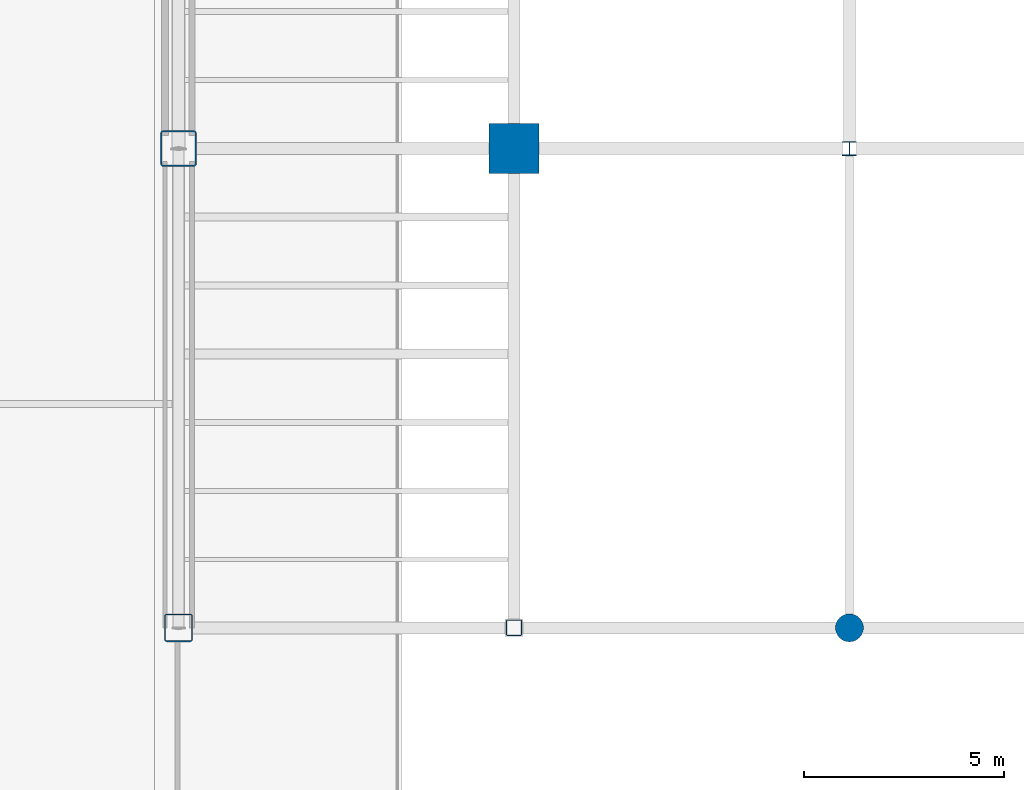
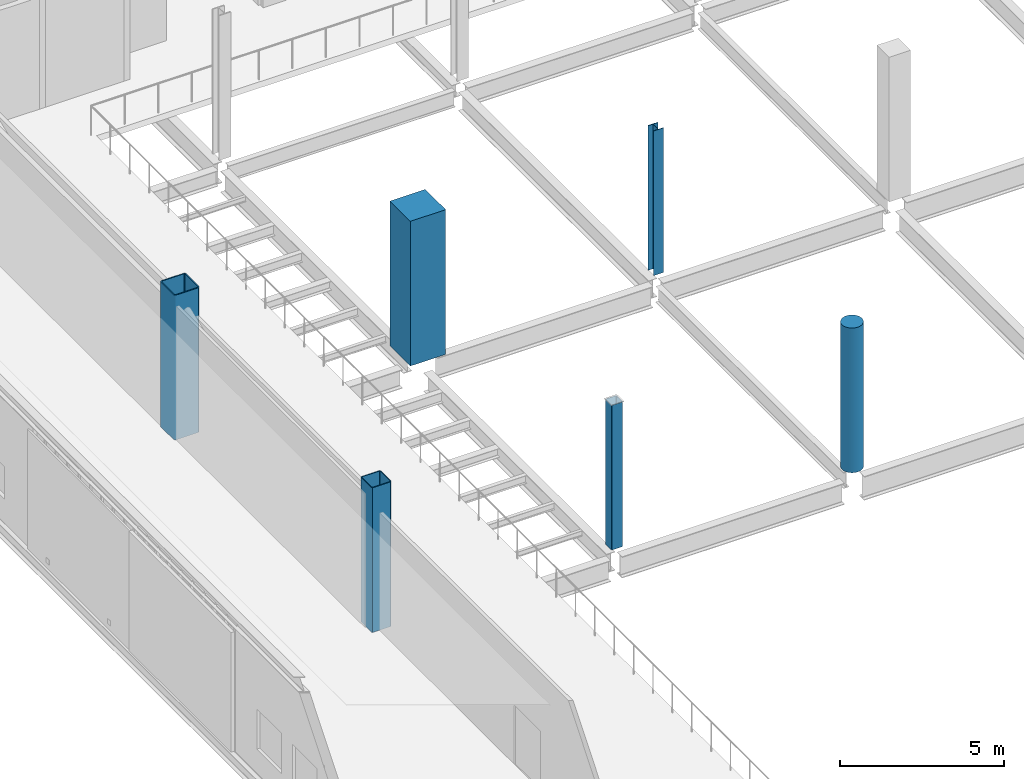
# One storey, part 3 of 127: 6 columns.
"""IFC4 building model written with IfcOpenShell, lengths in metres."""

from ifc_helpers import new_model, si_unit, direction, frame, origin, origin_2d, place, context, subcontext, project, spatial, rectangle, hollow_rectangle, circle, i_section, extrude, material, material_profile, profile_set, type_object, element, save


model = new_model("IFC4")

# Units and contexts
model_context = context("Model", 3, precision=1e-05, world=origin(), true_north=direction((0.0, 1.0)))
body_context = subcontext(model_context, "Body", "Model", "MODEL_VIEW")
ifc_project = project(units=[si_unit("LENGTHUNIT", "METRE"), si_unit("AREAUNIT", "SQUARE_METRE"), si_unit("VOLUMEUNIT", "CUBIC_METRE"), si_unit("PLANEANGLEUNIT", "RADIAN"), si_unit("MASSUNIT", "GRAM", prefix="KILO")], contexts=[model_context])

# Site, building, storey
site_placement = place(None, origin())
site = spatial("IfcSite", under=ifc_project, at=site_placement, CompositionType="ELEMENT")
building_placement = place(site_placement, origin())
building = spatial("IfcBuilding", under=site, at=building_placement, Name="Larkvane Passage Sports Hall", CompositionType="ELEMENT")
storey_placement = place(building_placement, frame((0.0, 0.0, 5.39990234375)))
storey = spatial("IfcBuildingStorey", under=building, at=storey_placement, Name="L01", CompositionType="ELEMENT", Elevation=5.39990234375)

# Columns
ifc_material_1 = material(Name="Concrete C40/50", Category="concrete")
ifc_material_profile_1 = material_profile(ifc_material_1, circle(Radius=0.35009765625, at=origin_2d()), Name="RC-CIR-700")
ifc_profile_set_1 = profile_set([ifc_material_profile_1], Name="Concrete C40/50")
column_type_1 = type_object("IfcColumnType", Name="COL-CIR-700", PredefinedType="COLUMN", material=ifc_profile_set_1)
column_1_placement = place(storey_placement, frame((51.60009765625, 51.60009765625, 0.0), z_axis=(0.0, 0.0, 1.0), x_axis=(1.0, 0.0, 0.0)))
element("IfcColumn", 1, at=column_1_placement, inside=storey, type_object=column_type_1, Name="Column 8/G L01", PredefinedType="COLUMN", context=body_context, shape_type="SweptSolid", body=[
    extrude(circle(Radius=0.35009765625, at=origin_2d()), origin(), (0.0, 0.0, 1.0), 5.400146484375),
])
ifc_material_2 = material(Name="Concrete C50/60", Category="concrete")
ifc_material_profile_2 = material_profile(ifc_material_2, rectangle(XDim=1.25, YDim=1.25, at=origin_2d()), Name="RC-COL-1250x1250")
ifc_profile_set_2 = profile_set([ifc_material_profile_2], Name="Concrete C50/60")
column_type_2 = type_object("IfcColumnType", Name="COL-RC-1250", PredefinedType="COLUMN", material=ifc_profile_set_2)
column_2_placement = place(storey_placement, frame((43.199951171875, 63.60009765625, 0.0), z_axis=(0.0, 0.0, 1.0), x_axis=(1.0, 0.0, 0.0)))
element("IfcColumn", 2, at=column_2_placement, inside=storey, type_object=column_type_2, Name="Column 7/H L01", PredefinedType="COLUMN", context=body_context, shape_type="SweptSolid", body=[
    extrude(rectangle(XDim=1.25, YDim=1.25, at=origin_2d()), origin(), (0.0, 0.0, 1.0), 5.400146484375),
])
ifc_material_3 = material(Name="Steel S460N", Category="steel")
ifc_material_profile_3 = material_profile(ifc_material_3, hollow_rectangle(XDim=0.699951171875, YDim=0.699951171875, WallThickness=0.028076171875, InnerFilletRadius=0.028076171875, OuterFilletRadius=0.055908203125, at=origin_2d()), Name="BOX-700x700x28")
ifc_profile_set_3 = profile_set([ifc_material_profile_3], Name="Steel S460N")
column_type_3 = type_object("IfcColumnType", Name="COL-STL-BOX700", PredefinedType="COLUMN", material=ifc_profile_set_3)
column_3_placement = place(storey_placement, frame((34.800048828125, 51.60009765625, 0.0), z_axis=(0.0, 0.0, 1.0), x_axis=(1.0, 0.0, 0.0)))
element("IfcColumn", 3, at=column_3_placement, inside=storey, type_object=column_type_3, Name="Column 6/G L01", PredefinedType="COLUMN", context=body_context, shape_type="SweptSolid", body=[
    extrude(hollow_rectangle(XDim=0.699951171875, YDim=0.699951171875, WallThickness=0.028076171875, InnerFilletRadius=0.028076171875, OuterFilletRadius=0.055908203125, at=origin_2d()), origin(), (0.0, 0.0, 1.0), 5.400146484375),
])
ifc_material_profile_4 = material_profile(ifc_material_3, hollow_rectangle(XDim=0.89990234375, YDim=0.89990234375, WallThickness=0.035888671875, InnerFilletRadius=0.035888671875, OuterFilletRadius=0.072021484375, at=origin_2d()), Name="BOX-900x900x36")
ifc_profile_set_4 = profile_set([ifc_material_profile_4], Name="Steel S460N")
column_type_4 = type_object("IfcColumnType", Name="COL-STL-BOX900", PredefinedType="COLUMN", material=ifc_profile_set_4)
column_4_placement = place(storey_placement, frame((34.800048828125, 63.60009765625, 0.0), z_axis=(0.0, 0.0, 1.0), x_axis=(1.0, 0.0, 0.0)))
element("IfcColumn", 4, at=column_4_placement, inside=storey, type_object=column_type_4, Name="Column 6/H L01", PredefinedType="COLUMN", context=body_context, shape_type="SweptSolid", body=[
    extrude(hollow_rectangle(XDim=0.89990234375, YDim=0.89990234375, WallThickness=0.035888671875, InnerFilletRadius=0.035888671875, OuterFilletRadius=0.072021484375, at=origin_2d()), origin(), (0.0, 0.0, 1.0), 5.400146484375),
])
ifc_material_4 = material(Name="Steel S355JR", Category="steel")
ifc_material_profile_5 = material_profile(ifc_material_4, i_section(OverallWidth=0.35009765625, OverallDepth=0.35009765625, WebThickness=0.011962890625, FlangeThickness=0.01904296875, FilletRadius=0.012939453125, at=origin_2d()), Name="H-350x350x12x19")
ifc_profile_set_5 = profile_set([ifc_material_profile_5], Name="Steel S355JR")
column_type_5 = type_object("IfcColumnType", Name="COL-STL-H350", PredefinedType="COLUMN", material=ifc_profile_set_5)
column_5_placement = place(storey_placement, frame((51.60009765625, 63.60009765625, 0.0), z_axis=(0.0, 0.0, 1.0), x_axis=(1.0, 0.0, 0.0)))
element("IfcColumn", 5, at=column_5_placement, inside=storey, type_object=column_type_5, Name="Column 8/H L01", PredefinedType="COLUMN", context=body_context, shape_type="SweptSolid", body=[
    extrude(i_section(OverallWidth=0.35009765625, OverallDepth=0.35009765625, WebThickness=0.011962890625, FlangeThickness=0.01904296875, FilletRadius=0.012939453125, at=origin_2d()), origin(), (0.0, 0.0, 1.0), 5.400146484375),
])
ifc_material_profile_6 = material_profile(ifc_material_3, hollow_rectangle(XDim=0.39990234375, YDim=0.39990234375, WallThickness=0.01904296875, InnerFilletRadius=0.01904296875, OuterFilletRadius=0.0380859375, at=origin_2d()), Name="SHS-400x400x19")
ifc_profile_set_6 = profile_set([ifc_material_profile_6], Name="Steel S460N")
column_type_6 = type_object("IfcColumnType", Name="COL-STL-SHS400", PredefinedType="COLUMN", material=ifc_profile_set_6)
column_6_placement = place(storey_placement, frame((43.199951171875, 51.60009765625, 0.0), z_axis=(0.0, 0.0, 1.0), x_axis=(1.0, 0.0, 0.0)))
element("IfcColumn", 6, at=column_6_placement, inside=storey, type_object=column_type_6, Name="Column 7/G L01", PredefinedType="COLUMN", context=body_context, shape_type="SweptSolid", body=[
    extrude(hollow_rectangle(XDim=0.39990234375, YDim=0.39990234375, WallThickness=0.01904296875, InnerFilletRadius=0.01904296875, OuterFilletRadius=0.0380859375, at=origin_2d()), origin(), (0.0, 0.0, 1.0), 5.400146484375),
])

save(model, "model.ifc")
